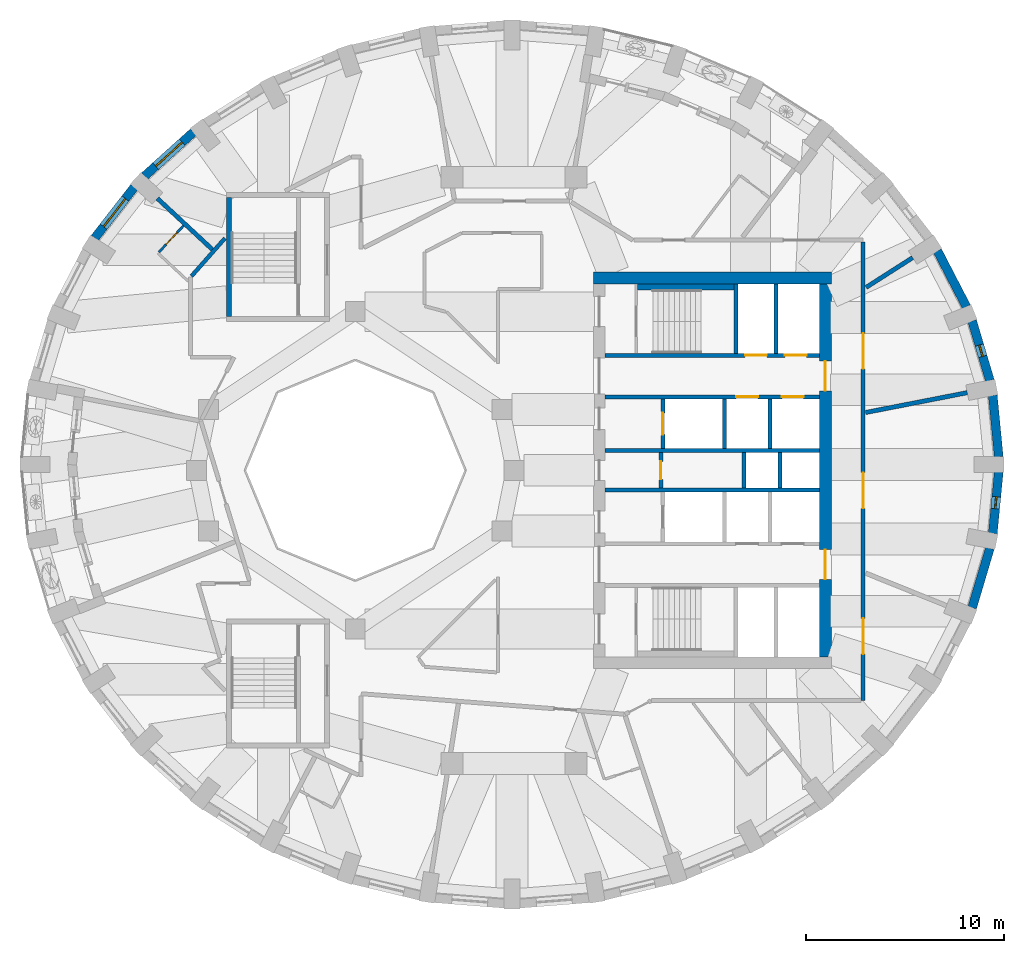
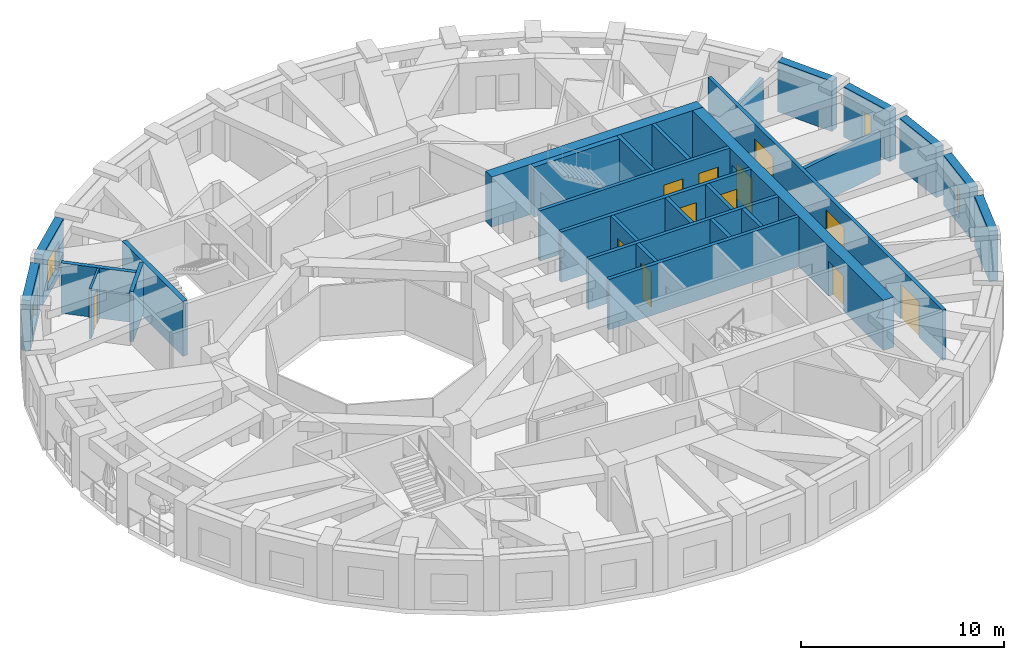
# One storey, part 6 of 12: 29 walls, 12 doors, 4 windows, 16 openings.
"""IFC4 building model written with IfcOpenShell, lengths in metres."""

from ifc_helpers import new_model, si_unit, direction, frame, frame_2d, origin, place, context, subcontext, project, spatial, rectangle, extrude, material, layer, layer_set, type_object, element, fill, save


model = new_model("IFC4")

# Units and contexts
model_context = context("Model", 3, precision=1e-05, world=origin(), true_north=direction((0.0, 1.0)))
body_context = subcontext(model_context, "Body", "Model", "MODEL_VIEW")
ifc_project = project(units=[si_unit("LENGTHUNIT", "METRE"), si_unit("AREAUNIT", "SQUARE_METRE"), si_unit("VOLUMEUNIT", "CUBIC_METRE"), si_unit("PLANEANGLEUNIT", "RADIAN"), si_unit("MASSUNIT", "GRAM", prefix="KILO")], contexts=[model_context])

# Site, building, storey
site_placement = place(None, origin())
site = spatial("IfcSite", under=ifc_project, at=site_placement, CompositionType="ELEMENT")
building_placement = place(site_placement, origin())
building = spatial("IfcBuilding", under=site, at=building_placement, Name="Taillehof Tower", CompositionType="ELEMENT")
storey_placement = place(building_placement, frame((0.0, 0.0, 236.60009765625)))
storey = spatial("IfcBuildingStorey", under=building, at=storey_placement, Name="L67", CompositionType="ELEMENT", Elevation=236.60009765625)

# Wall
ifc_material_1 = material(Name="Brick masonry", Category="masonry")
ifc_layer_1 = layer(ifc_material_1, 0.449951171875)
ifc_layer_set_1 = layer_set([ifc_layer_1], Name="Brick infill wall 450")
wall_type_1 = type_object("IfcWallType", Name="Brick infill wall 450", PredefinedType="SOLIDWALL", material=ifc_layer_set_1)
wall_1_placement = place(storey_placement, frame((24.43701171875, 0.68017578125, 0.0), z_axis=(0.0, 0.0, 1.0), x_axis=(-0.096740086873, 0.995309678237, 0.0)))
element("IfcWall", 1, at=wall_1_placement, inside=storey, type_object=wall_type_1, Name="Brick wall L67 bay 1", PredefinedType="SOLIDWALL", context=body_context, shape_type="SweptSolid", body=[
    extrude(rectangle(XDim=3.1142578125, YDim=0.449951171875, at=frame_2d((1.55712890625, 0.0))), origin(), (0.0, 0.0, 1.0), 3.02001953125),
])

# Wall, opening, window
wall_2_placement = place(storey_placement, frame((23.989990234375, 4.52587890625, 0.0), z_axis=(0.0, 0.0, 1.0), x_axis=(-0.285263800865, 0.958449040855, 0.0)))
wall_2 = element("IfcWall", 2, at=wall_2_placement, inside=storey, type_object=wall_type_1, Name="Brick wall L67 bay 2", PredefinedType="SOLIDWALL", context=body_context, shape_type="SweptSolid", body=[
    extrude(rectangle(XDim=3.13916015625, YDim=0.449951171875, at=frame_2d((1.569580078125, 0.0))), origin(), (0.0, 0.0, 1.0), 3.02001953125),
])
opening_1_placement = place(wall_2_placement, frame((1.26953125, 0.0, 0.39990234375)))
opening_1 = element("IfcOpeningElement", 3, at=opening_1_placement, cuts=wall_2, Name="Opening W6", PredefinedType="OPENING", context=body_context, shape_type="SweptSolid", body=[
    extrude(rectangle(XDim=0.60009765625, YDim=1.75, at=frame_2d((0.300048828125, 0.875))), frame((0.0, 0.23486328125, 0.0), z_axis=(0.0, -1.0, 0.0), x_axis=(1.0, 0.0, 0.0)), (0.0, 0.0, 1.0), 0.469970703125),
])
ifc_material_2 = material(Name="Aluminium window frame with clear double glazing", Category="aluminium")
window_type_1 = type_object("IfcWindowType", Name="Slot window 600x1750", PartitioningType="SINGLE_PANEL", PredefinedType="WINDOW", material=ifc_material_2)
window_1_placement = place(opening_1_placement, origin())
window_1 = element("IfcWindow", 4, at=window_1_placement, inside=storey, type_object=window_type_1, Name="W6", OverallHeight=1.75, OverallWidth=0.60009765625, PartitioningType="SINGLE_PANEL", PredefinedType="WINDOW", context=body_context, shape_type="SweptSolid", body=[
    extrude(rectangle(XDim=0.60009765625, YDim=1.75, at=frame_2d((0.300048828125, 0.875))), frame((0.0, 0.034912109375, 0.0), z_axis=(0.0, -1.0, 0.0), x_axis=(1.0, 0.0, 0.0)), (0.0, 0.0, 1.0), 0.06005859375),
])
fill(opening_1, window_1)

# Wall
wall_3_placement = place(storey_placement, frame((22.81005859375, 8.239501953125, 0.0), z_axis=(0.0, 0.0, 1.0), x_axis=(-0.459889857669, 0.887975967475, 0.0)))
element("IfcWall", 5, at=wall_3_placement, inside=storey, type_object=wall_type_1, Name="Brick wall L67 bay 3", PredefinedType="SOLIDWALL", context=body_context, shape_type="SweptSolid", body=[
    extrude(rectangle(XDim=3.185791015625, YDim=0.449951171875, at=frame_2d((1.5927734375, 0.0))), origin(), (0.0, 0.0, 1.0), 3.02001953125),
])

# Wall, opening, window
wall_4_placement = place(storey_placement, frame((-16.1591796875, 17.04736328125, 0.0), z_axis=(0.0, 0.0, 1.0), x_axis=(-0.743166014219, -0.669107073128, 0.0)))
wall_4 = element("IfcWall", 6, at=wall_4_placement, inside=storey, type_object=wall_type_1, Name="Brick wall L67 bay 14", PredefinedType="SOLIDWALL", context=body_context, shape_type="SweptSolid", body=[
    extrude(rectangle(XDim=3.31640625, YDim=0.449951171875, at=frame_2d((1.658203125, 0.0))), origin(), (0.0, 0.0, 1.0), 3.02001953125),
])
opening_2_placement = place(wall_4_placement, frame((0.75830078125, 0.0, 0.39990234375)))
opening_2 = element("IfcOpeningElement", 7, at=opening_2_placement, cuts=wall_4, Name="Opening W4", PredefinedType="OPENING", context=body_context, shape_type="SweptSolid", body=[
    extrude(rectangle(XDim=1.800048828125, YDim=1.75, at=frame_2d((0.89990234375, 0.875))), frame((0.0, 0.23486328125, 0.0), z_axis=(0.0, -1.0, 0.0), x_axis=(1.0, 0.0, 0.0)), (0.0, 0.0, 1.0), 0.469970703125),
])
ifc_material_3 = material(Name="Aluminium window frame with clear double glazing", Category="aluminium")
window_type_2 = type_object("IfcWindowType", Name="Deep-set window 1800x1750", PartitioningType="SINGLE_PANEL", PredefinedType="WINDOW", material=ifc_material_3)
window_2_placement = place(opening_2_placement, origin())
window_2 = element("IfcWindow", 8, at=window_2_placement, inside=storey, type_object=window_type_2, Name="W4", OverallHeight=1.75, OverallWidth=1.800048828125, PartitioningType="SINGLE_PANEL", PredefinedType="WINDOW", context=body_context, shape_type="SweptSolid", body=[
    extrude(rectangle(XDim=1.800048828125, YDim=1.75, at=frame_2d((0.89990234375, 0.875))), frame((0.0, 0.034912109375, 0.0), z_axis=(0.0, -1.0, 0.0), x_axis=(1.0, 0.0, 0.0)), (0.0, 0.0, 1.0), 0.06005859375),
])
fill(opening_2, window_2)

wall_5_placement = place(storey_placement, frame((-19.1416015625, 14.27197265625, 0.0), z_axis=(0.0, 0.0, 1.0), x_axis=(-0.613862536705, -0.789412937587, 0.0)))
wall_5 = element("IfcWall", 9, at=wall_5_placement, inside=storey, type_object=wall_type_1, Name="Brick wall L67 bay 15", PredefinedType="SOLIDWALL", context=body_context, shape_type="SweptSolid", body=[
    extrude(rectangle(XDim=3.247314453125, YDim=0.449951171875, at=frame_2d((1.62353515625, 0.0))), origin(), (0.0, 0.0, 1.0), 3.02001953125),
])
opening_3_placement = place(wall_5_placement, frame((0.7236328125, 0.0, 0.39990234375)))
opening_3 = element("IfcOpeningElement", 10, at=opening_3_placement, cuts=wall_5, Name="Opening W4", PredefinedType="OPENING", context=body_context, shape_type="SweptSolid", body=[
    extrude(rectangle(XDim=1.800048828125, YDim=1.75, at=frame_2d((0.89990234375, 0.875))), frame((0.0, 0.23486328125, 0.0), z_axis=(0.0, -1.0, 0.0), x_axis=(1.0, 0.0, 0.0)), (0.0, 0.0, 1.0), 0.469970703125),
])
window_3_placement = place(opening_3_placement, origin())
window_3 = element("IfcWindow", 11, at=window_3_placement, inside=storey, type_object=window_type_2, Name="W4", OverallHeight=1.75, OverallWidth=1.800048828125, PartitioningType="SINGLE_PANEL", PredefinedType="WINDOW", context=body_context, shape_type="SweptSolid", body=[
    extrude(rectangle(XDim=1.800048828125, YDim=1.75, at=frame_2d((0.89990234375, 0.875))), frame((0.0, 0.034912109375, 0.0), z_axis=(0.0, -1.0, 0.0), x_axis=(1.0, 0.0, 0.0)), (0.0, 0.0, 1.0), 0.06005859375),
])
fill(opening_3, window_3)

# Wall
wall_6_placement = place(storey_placement, frame((23.094482421875, -6.9345703125, 0.0), z_axis=(0.0, 0.0, 1.0), x_axis=(0.285263800865, 0.958449040855, 0.0)))
element("IfcWall", 12, at=wall_6_placement, inside=storey, type_object=wall_type_1, Name="Brick wall L67 bay 35", PredefinedType="SOLIDWALL", context=body_context, shape_type="SweptSolid", body=[
    extrude(rectangle(XDim=3.13916015625, YDim=0.449951171875, at=frame_2d((1.569580078125, 0.0))), origin(), (0.0, 0.0, 1.0), 3.02001953125),
])

# Wall, opening, window
wall_7_placement = place(storey_placement, frame((24.1357421875, -3.179931640625, 0.0), z_axis=(0.0, 0.0, 1.0), x_axis=(0.09673253904, 0.995310411827, 0.0)))
wall_7 = element("IfcWall", 13, at=wall_7_placement, inside=storey, type_object=wall_type_1, Name="Brick wall L67 bay 36", PredefinedType="SOLIDWALL", context=body_context, shape_type="SweptSolid", body=[
    extrude(rectangle(XDim=3.114501953125, YDim=0.449951171875, at=frame_2d((1.55712890625, 0.0))), origin(), (0.0, 0.0, 1.0), 3.02001953125),
])
opening_4_placement = place(wall_7_placement, frame((1.257080078125, 0.0, 0.39990234375)))
opening_4 = element("IfcOpeningElement", 14, at=opening_4_placement, cuts=wall_7, Name="Opening W6", PredefinedType="OPENING", context=body_context, shape_type="SweptSolid", body=[
    extrude(rectangle(XDim=0.60009765625, YDim=1.75, at=frame_2d((0.300048828125, 0.875))), frame((0.0, 0.23486328125, 0.0), z_axis=(0.0, -1.0, 0.0), x_axis=(1.0, 0.0, 0.0)), (0.0, 0.0, 1.0), 0.469970703125),
])
window_4_placement = place(opening_4_placement, origin())
window_4 = element("IfcWindow", 15, at=window_4_placement, inside=storey, type_object=window_type_1, Name="W6", OverallHeight=1.75, OverallWidth=0.60009765625, PartitioningType="SINGLE_PANEL", PredefinedType="WINDOW", context=body_context, shape_type="SweptSolid", body=[
    extrude(rectangle(XDim=0.60009765625, YDim=1.75, at=frame_2d((0.300048828125, 0.875))), frame((0.0, 0.034912109375, 0.0), z_axis=(0.0, -1.0, 0.0), x_axis=(1.0, 0.0, 0.0)), (0.0, 0.0, 1.0), 0.06005859375),
])
fill(opening_4, window_4)

# Wall, opening, door
ifc_material_4 = material(Name="Calcium silicate masonry", Category="masonry")
ifc_layer_2 = layer(ifc_material_4, 0.199951171875)
ifc_layer_set_2 = layer_set([ifc_layer_2], Name="Compartment wall calcium silicate 200")
wall_type_2 = type_object("IfcWallType", Name="Compartment wall calcium silicate 200", PredefinedType="PARTITIONING", material=ifc_layer_set_2)
wall_8_placement = place(storey_placement, frame((7.39990234375, -0.89990234375, 0.0), z_axis=(0.0, 0.0, 1.0), x_axis=(0.0, 1.0, 0.0)))
wall_8 = element("IfcWall", 16, at=wall_8_placement, inside=storey, type_object=wall_type_2, Name="Compartment wall FW", PredefinedType="PARTITIONING", context=body_context, shape_type="SweptSolid", body=[
    extrude(rectangle(XDim=1.7998046875, YDim=0.199951171875, at=frame_2d((0.89990234375, 0.0))), origin(), (0.0, 0.0, 1.0), 3.02001953125),
])
opening_5_placement = place(wall_8_placement, frame((0.449951171875, 0.0, 0.0)))
opening_5 = element("IfcOpeningElement", 17, at=opening_5_placement, cuts=wall_8, Name="Opening D6714", PredefinedType="OPENING", context=body_context, shape_type="SweptSolid", body=[
    extrude(rectangle(XDim=0.89990234375, YDim=2.10009765625, at=frame_2d((0.449951171875, 1.050048828125))), frame((0.0, 0.10986328125, 0.0), z_axis=(0.0, -1.0, 0.0), x_axis=(1.0, 0.0, 0.0)), (0.0, 0.0, 1.0), 0.219970703125),
])
ifc_material_5 = material(Name="Steel-faced fire door", Category="steel")
door_type_1 = type_object("IfcDoorType", Name="Riser and service room door 900x2100", OperationType="SINGLE_SWING_LEFT", PredefinedType="DOOR", material=ifc_material_5)
door_1_placement = place(opening_5_placement, origin())
door_1 = element("IfcDoor", 18, at=door_1_placement, inside=storey, type_object=door_type_1, Name="Door Electrical Room", OperationType="SINGLE_SWING_RIGHT", OverallHeight=2.10009765625, OverallWidth=0.89990234375, PredefinedType="DOOR", context=body_context, shape_type="SweptSolid", body=[
    extrude(rectangle(XDim=0.89990234375, YDim=2.10009765625, at=frame_2d((0.449951171875, 1.050048828125))), frame((0.0, 0.02490234375, 0.0), z_axis=(0.0, -1.0, 0.0), x_axis=(1.0, 0.0, 0.0)), (0.0, 0.0, 1.0), 0.050048828125),
])
fill(opening_5, door_1)

# Walls
for number, where, z_axis, x_axis, name in (
    (19, (11.60009765625, -0.89990234375, 0.0), (0.0, 0.0, 1.0), (0.0, 1.0, 0.0), "Compartment wall FW"),
    (20, (13.39990234375, -0.89990234375, 0.0), (0.0, 0.0, 1.0), (0.0, 1.0, 0.0), "Compartment wall FW"),
):
    element("IfcWall", number, at=place(storey_placement, frame(where, z_axis=z_axis, x_axis=x_axis)), inside=storey, type_object=wall_type_2, Name=name, PredefinedType="PARTITIONING", context=body_context, shape_type="SweptSolid", body=[
        extrude(rectangle(XDim=1.7998046875, YDim=0.199951171875, at=frame_2d((0.89990234375, 0.0))), origin(), (0.0, 0.0, 1.0), 3.02001953125),
    ])

# Wall, openings, doors
ifc_material_6 = material(Name="Gypsum board on steel studs, two layers each side", Category="steel")
ifc_layer_3 = layer(ifc_material_6, 0.199951171875)
ifc_layer_set_3 = layer_set([ifc_layer_3], Name="Compartment wall corridor 200")
wall_type_3 = type_object("IfcWallType", Name="Compartment wall corridor 200", PredefinedType="PARTITIONING", material=ifc_layer_set_3)
wall_9_placement = place(storey_placement, frame((17.60009765625, 11.5, 0.0), z_axis=(0.0, 0.0, 1.0), x_axis=(0.0, -1.0, 0.0)))
wall_9 = element("IfcWall", 21, at=wall_9_placement, inside=storey, type_object=wall_type_3, Name="Compartment wall", PredefinedType="PARTITIONING", context=body_context, shape_type="SweptSolid", body=[
    extrude(rectangle(XDim=23.10009765625, YDim=0.199951171875, at=frame_2d((11.550048828125, 0.0))), origin(), (0.0, 0.0, 1.0), 3.02001953125),
])
opening_6_placement = place(wall_9_placement, frame((18.9599609375, 0.0, 0.0)))
opening_6 = element("IfcOpeningElement", 22, at=opening_6_placement, cuts=wall_9, Name="Opening D6754", PredefinedType="OPENING", context=body_context, shape_type="SweptSolid", body=[
    extrude(rectangle(XDim=1.800048828125, YDim=2.10009765625, at=frame_2d((0.89990234375, 1.050048828125))), frame((0.0, 0.10986328125, 0.0), z_axis=(0.0, -1.0, 0.0), x_axis=(1.0, 0.0, 0.0)), (0.0, 0.0, 1.0), 0.219970703125),
])
opening_7_placement = place(wall_9_placement, frame((11.6171875, 0.0, 0.0)))
opening_7 = element("IfcOpeningElement", 23, at=opening_7_placement, cuts=wall_9, Name="Opening D6755", PredefinedType="OPENING", context=body_context, shape_type="SweptSolid", body=[
    extrude(rectangle(XDim=1.800048828125, YDim=2.10009765625, at=frame_2d((0.89990234375, 1.050048828125))), frame((0.0, 0.10986328125, 0.0), z_axis=(0.0, -1.0, 0.0), x_axis=(1.0, 0.0, 0.0)), (0.0, 0.0, 1.0), 0.219970703125),
])
opening_8_placement = place(wall_9_placement, frame((4.5908203125, 0.0, 0.0)))
opening_8 = element("IfcOpeningElement", 24, at=opening_8_placement, cuts=wall_9, Name="Opening D6756", PredefinedType="OPENING", context=body_context, shape_type="SweptSolid", body=[
    extrude(rectangle(XDim=1.800048828125, YDim=2.10009765625, at=frame_2d((0.89990234375, 1.050048828125))), frame((0.0, 0.10986328125, 0.0), z_axis=(0.0, -1.0, 0.0), x_axis=(1.0, 0.0, 0.0)), (0.0, 0.0, 1.0), 0.219970703125),
])
ifc_material_7 = material(Name="Timber door leaf in steel frame", Category="steel")
door_type_2 = type_object("IfcDoorType", Name="Lounge and meeting room double door EI 30 1800 x 2100", OperationType="SINGLE_SWING_LEFT", PredefinedType="DOOR", material=ifc_material_7)
door_2_placement = place(opening_6_placement, origin())
door_2 = element("IfcDoor", 25, at=door_2_placement, inside=storey, type_object=door_type_2, Name="D6754", OperationType="DOUBLE_DOOR_SINGLE_SWING", OverallHeight=2.10009765625, OverallWidth=1.800048828125, PredefinedType="DOOR", context=body_context, shape_type="SweptSolid", body=[
    extrude(rectangle(XDim=1.800048828125, YDim=2.10009765625, at=frame_2d((0.89990234375, 1.050048828125))), frame((0.0, 0.02490234375, 0.0), z_axis=(0.0, -1.0, 0.0), x_axis=(1.0, 0.0, 0.0)), (0.0, 0.0, 1.0), 0.050048828125),
])
fill(opening_6, door_2)
door_3_placement = place(opening_7_placement, origin())
door_3 = element("IfcDoor", 26, at=door_3_placement, inside=storey, type_object=door_type_2, Name="D6755", OperationType="DOUBLE_DOOR_SINGLE_SWING", OverallHeight=2.10009765625, OverallWidth=1.800048828125, PredefinedType="DOOR", context=body_context, shape_type="SweptSolid", body=[
    extrude(rectangle(XDim=1.800048828125, YDim=2.10009765625, at=frame_2d((0.89990234375, 1.050048828125))), frame((0.0, 0.02490234375, 0.0), z_axis=(0.0, -1.0, 0.0), x_axis=(1.0, 0.0, 0.0)), (0.0, 0.0, 1.0), 0.050048828125),
])
fill(opening_7, door_3)
door_4_placement = place(opening_8_placement, origin())
door_4 = element("IfcDoor", 27, at=door_4_placement, inside=storey, type_object=door_type_2, Name="D6756", OperationType="DOUBLE_DOOR_SINGLE_SWING", OverallHeight=2.10009765625, OverallWidth=1.800048828125, PredefinedType="DOOR", context=body_context, shape_type="SweptSolid", body=[
    extrude(rectangle(XDim=1.800048828125, YDim=2.10009765625, at=frame_2d((0.89990234375, 1.050048828125))), frame((0.0, 0.02490234375, 0.0), z_axis=(0.0, -1.0, 0.0), x_axis=(1.0, 0.0, 0.0)), (0.0, 0.0, 1.0), 0.050048828125),
])
fill(opening_8, door_4)

# Walls
wall_10_placement = place(storey_placement, frame((-16.260498046875, 9.783447265625, 0.0), z_axis=(0.0, 0.0, 1.0), x_axis=(0.66199168739, 0.74951117792, 0.0)))
element("IfcWall", 28, at=wall_10_placement, inside=storey, type_object=wall_type_3, Name="Compartment wall", PredefinedType="PARTITIONING", context=body_context, shape_type="SweptSolid", body=[
    extrude(rectangle(XDim=2.552490234375, YDim=0.199951171875, at=frame_2d((1.2763671875, 0.0))), origin(), (0.0, 0.0, 1.0), 3.02001953125),
])
ifc_material_8 = material(Name="Gypsum board on double steel studs with mineral wool", Category="steel")
ifc_layer_4 = layer(ifc_material_8, 0.219970703125)
ifc_layer_set_4 = layer_set([ifc_layer_4], Name="Compartment wall guest room 220")
wall_type_4 = type_object("IfcWallType", Name="Compartment wall guest room 220", PredefinedType="PARTITIONING", material=ifc_layer_set_4)
wall_11_placement = place(storey_placement, frame((22.8486328125, 3.915771484375, 0.0), z_axis=(0.0, 0.0, 1.0), x_axis=(-0.981474096155, -0.191594881394, 0.0)))
element("IfcWall", 29, at=wall_11_placement, inside=storey, type_object=wall_type_4, Name="Compartment wall", PredefinedType="PARTITIONING", context=body_context, shape_type="SweptSolid", body=[
    extrude(rectangle(XDim=5.225830078125, YDim=0.219970703125, at=frame_2d((2.61279296875, 0.0))), origin(), (0.0, 0.0, 1.0), 2.56982421875),
])
wall_12_placement = place(storey_placement, frame((20.095947265625, 10.720947265625, 0.0), z_axis=(0.0, 0.0, 1.0), x_axis=(-0.842583486412, -0.538565751256, 0.0)))
element("IfcWall", 30, at=wall_12_placement, inside=storey, type_object=wall_type_4, Name="Compartment wall", PredefinedType="PARTITIONING", context=body_context, shape_type="SweptSolid", body=[
    extrude(rectangle(XDim=2.783447265625, YDim=0.219970703125, at=frame_2d((1.3916015625, 0.0))), origin(), (0.0, 0.0, 1.0), 2.56982421875),
])
wall_13_placement = place(storey_placement, frame((-17.973876953125, 13.705810546875, 0.0), z_axis=(0.0, 0.0, 1.0), x_axis=(0.732644022802, -0.680612030346, 0.0)))
element("IfcWall", 31, at=wall_13_placement, inside=storey, type_object=wall_type_4, Name="Compartment wall", PredefinedType="PARTITIONING", context=body_context, shape_type="SweptSolid", body=[
    extrude(rectangle(XDim=3.78173828125, YDim=0.219970703125, at=frame_2d((1.890869140625, 0.0))), origin(), (0.0, 0.0, 1.0), 3.02001953125),
])
ifc_material_9 = material(Name="Calcium silicate masonry", Category="masonry")
ifc_layer_5 = layer(ifc_material_9, 0.300048828125)
ifc_layer_set_5 = layer_set([ifc_layer_5], Name="Compartment wall lining calcium silicate 300")
wall_type_5 = type_object("IfcWallType", Name="Compartment wall lining calcium silicate 300", PredefinedType="PARTITIONING", material=ifc_layer_set_5)
wall_14_placement = place(storey_placement, frame((6.219970703125, 9.25, 0.0), z_axis=(0.0, 0.0, 1.0), x_axis=(1.0, 0.0, 0.0)))
element("IfcWall", 32, at=wall_14_placement, inside=storey, type_object=wall_type_5, Name="Compartment wall FW", PredefinedType="PARTITIONING", context=body_context, shape_type="SweptSolid", body=[
    extrude(rectangle(XDim=4.880126953125, YDim=0.300048828125, at=frame_2d((2.43994140625, 0.0))), origin(), (0.0, 0.0, 1.0), 3.02001953125),
])

# Wall, openings, doors
ifc_material_10 = material(Name="Concrete C80/95", Category="concrete")
ifc_layer_6 = layer(ifc_material_10, 0.60009765625)
ifc_layer_set_6 = layer_set([ifc_layer_6], Name="Core wall C80/95 600")
wall_type_6 = type_object("IfcWallType", Name="Core wall C80/95 600", PredefinedType="SHEAR", material=ifc_layer_set_6)
wall_15_placement = place(storey_placement, frame((15.699951171875, -9.39990234375, 0.0), z_axis=(0.0, 0.0, 1.0), x_axis=(0.0, 1.0, 0.0)))
wall_15 = element("IfcWall", 33, at=wall_15_placement, inside=storey, type_object=wall_type_6, Name="Core wall CW05", PredefinedType="SHEAR", context=body_context, shape_type="SweptSolid", body=[
    extrude(rectangle(XDim=18.7998046875, YDim=0.60009765625, at=frame_2d((9.39990234375, 0.0))), origin(), (0.0, 0.0, 1.0), 3.02001953125),
])
opening_9_placement = place(wall_15_placement, frame((13.39990234375, 0.0, 0.0)))
opening_9 = element("IfcOpeningElement", 34, at=opening_9_placement, cuts=wall_15, Name="Opening D6708", PredefinedType="OPENING", context=body_context, shape_type="SweptSolid", body=[
    extrude(rectangle(XDim=1.5, YDim=2.10009765625, at=frame_2d((0.75, 1.050048828125))), frame((0.0, 0.31005859375, 0.0), z_axis=(0.0, -1.0, 0.0), x_axis=(1.0, 0.0, 0.0)), (0.0, 0.0, 1.0), 0.6201171875),
])
opening_10_placement = place(wall_15_placement, frame((3.89990234375, 0.0, 0.0)))
opening_10 = element("IfcOpeningElement", 35, at=opening_10_placement, cuts=wall_15, Name="Opening D6709", PredefinedType="OPENING", context=body_context, shape_type="SweptSolid", body=[
    extrude(rectangle(XDim=1.5, YDim=2.10009765625, at=frame_2d((0.75, 1.050048828125))), frame((0.0, 0.31005859375, 0.0), z_axis=(0.0, -1.0, 0.0), x_axis=(1.0, 0.0, 0.0)), (0.0, 0.0, 1.0), 0.6201171875),
])
ifc_material_11 = material(Name="Steel-faced fire door", Category="steel")
door_type_3 = type_object("IfcDoorType", Name="Lift lobby east door 1500x2100", OperationType="DOUBLE_DOOR_SINGLE_SWING", PredefinedType="DOOR", material=ifc_material_11)
door_5_placement = place(opening_9_placement, origin())
door_5 = element("IfcDoor", 36, at=door_5_placement, inside=storey, type_object=door_type_3, Name="Lift lobby east door north", OperationType="DOUBLE_DOOR_SINGLE_SWING", OverallHeight=2.10009765625, OverallWidth=1.5, PredefinedType="DOOR", context=body_context, shape_type="SweptSolid", body=[
    extrude(rectangle(XDim=1.5, YDim=2.10009765625, at=frame_2d((0.75, 1.050048828125))), frame((0.0, 0.02490234375, 0.0), z_axis=(0.0, -1.0, 0.0), x_axis=(1.0, 0.0, 0.0)), (0.0, 0.0, 1.0), 0.050048828125),
])
fill(opening_9, door_5)
door_6_placement = place(opening_10_placement, origin())
door_6 = element("IfcDoor", 37, at=door_6_placement, inside=storey, type_object=door_type_3, Name="Lift lobby east door south", OperationType="DOUBLE_DOOR_SINGLE_SWING", OverallHeight=2.10009765625, OverallWidth=1.5, PredefinedType="DOOR", context=body_context, shape_type="SweptSolid", body=[
    extrude(rectangle(XDim=1.5, YDim=2.10009765625, at=frame_2d((0.75, 1.050048828125))), frame((0.0, 0.02490234375, 0.0), z_axis=(0.0, -1.0, 0.0), x_axis=(1.0, 0.0, 0.0)), (0.0, 0.0, 1.0), 0.050048828125),
])
fill(opening_10, door_6)

# Wall
wall_16_placement = place(storey_placement, frame((4.0, 9.699951171875, 0.0), z_axis=(0.0, 0.0, 1.0), x_axis=(1.0, 0.0, 0.0)))
element("IfcWall", 38, at=wall_16_placement, inside=storey, type_object=wall_type_6, Name="Core wall CW06", PredefinedType="SHEAR", context=body_context, shape_type="SweptSolid", body=[
    extrude(rectangle(XDim=12.0, YDim=0.60009765625, at=frame_2d((6.0, 0.0))), origin(), (0.0, 0.0, 1.0), 3.02001953125),
])

# Wall, opening, door
ifc_material_12 = material(Name="Gypsum board on steel studs, moisture resistant", Category="steel")
ifc_layer_7 = layer(ifc_material_12, 0.1201171875)
ifc_layer_set_7 = layer_set([ifc_layer_7], Name="En-suite wall 120")
wall_type_7 = type_object("IfcWallType", Name="En-suite wall 120", PredefinedType="PARTITIONING", material=ifc_layer_set_7)
wall_17_placement = place(storey_placement, frame((-17.90234375, 10.991455078125, 0.0), z_axis=(0.0, 0.0, 1.0), x_axis=(0.680681343043, 0.732579626548, 0.0)))
wall_17 = element("IfcWall", 39, at=wall_17_placement, inside=storey, type_object=wall_type_7, Name="En-suite wall", PredefinedType="PARTITIONING", context=body_context, shape_type="SweptSolid", body=[
    extrude(rectangle(XDim=1.829833984375, YDim=0.1201171875, at=frame_2d((0.9150390625, 0.0))), origin(), (0.0, 0.0, 1.0), 3.02001953125),
])
opening_11_placement = place(wall_17_placement, frame((0.5400390625, 0.0, 0.0)))
opening_11 = element("IfcOpeningElement", 40, at=opening_11_placement, cuts=wall_17, Name="Opening D6745", PredefinedType="OPENING", context=body_context, shape_type="SweptSolid", body=[
    extrude(rectangle(XDim=0.800048828125, YDim=2.10009765625, at=frame_2d((0.39990234375, 1.050048828125))), frame((0.0, 0.070068359375, 0.0), z_axis=(0.0, -1.0, 0.0), x_axis=(1.0, 0.0, 0.0)), (0.0, 0.0, 1.0), 0.14013671875),
])
ifc_material_13 = material(Name="Timber door leaf in steel frame", Category="steel")
door_type_4 = type_object("IfcDoorType", Name="En-suite door 800 x 2100", OperationType="SINGLE_SWING_LEFT", PredefinedType="DOOR", material=ifc_material_13)
door_7_placement = place(opening_11_placement, origin())
door_7 = element("IfcDoor", 41, at=door_7_placement, inside=storey, type_object=door_type_4, Name="D6745", OperationType="SINGLE_SWING_RIGHT", OverallHeight=2.10009765625, OverallWidth=0.800048828125, PredefinedType="DOOR", context=body_context, shape_type="SweptSolid", body=[
    extrude(rectangle(XDim=0.800048828125, YDim=2.10009765625, at=frame_2d((0.39990234375, 1.050048828125))), frame((0.0, 0.02490234375, 0.0), z_axis=(0.0, -1.0, 0.0), x_axis=(1.0, 0.0, 0.0)), (0.0, 0.0, 1.0), 0.050048828125),
])
fill(opening_11, door_7)

# Wall, openings, doors
ifc_material_14 = material(Name="Concrete C50/60", Category="concrete")
ifc_layer_8 = layer(ifc_material_14, 0.199951171875)
ifc_layer_set_8 = layer_set([ifc_layer_8], Name="Shaft wall C50/60 200")
wall_type_8 = type_object("IfcWallType", Name="Shaft wall C50/60 200", PredefinedType="SHEAR", material=ifc_layer_set_8)
wall_18_placement = place(storey_placement, frame((4.60009765625, 5.800048828125, 0.0), z_axis=(0.0, 0.0, 1.0), x_axis=(1.0, 0.0, 0.0)))
wall_18 = element("IfcWall", 42, at=wall_18_placement, inside=storey, type_object=wall_type_8, Name="Shaft wall SW", PredefinedType="SHEAR", context=body_context, shape_type="SweptSolid", body=[
    extrude(rectangle(XDim=10.7998046875, YDim=0.199951171875, at=frame_2d((5.39990234375, 0.0))), origin(), (0.0, 0.0, 1.0), 3.02001953125),
])
opening_12_placement = place(wall_18_placement, frame((7.050048828125, 0.0, 0.0)))
opening_12 = element("IfcOpeningElement", 43, at=opening_12_placement, cuts=wall_18, Name="Opening LD1", PredefinedType="OPENING", context=body_context, shape_type="SweptSolid", body=[
    extrude(rectangle(XDim=1.10009765625, YDim=2.10009765625, at=frame_2d((0.550048828125, 1.050048828125))), frame((0.0, 0.10986328125, 0.0), z_axis=(0.0, -1.0, 0.0), x_axis=(1.0, 0.0, 0.0)), (0.0, 0.0, 1.0), 0.219970703125),
])
opening_13_placement = place(wall_18_placement, frame((9.050048828125, 0.0, 0.0)))
opening_13 = element("IfcOpeningElement", 44, at=opening_13_placement, cuts=wall_18, Name="Opening LD1", PredefinedType="OPENING", context=body_context, shape_type="SweptSolid", body=[
    extrude(rectangle(XDim=1.10009765625, YDim=2.10009765625, at=frame_2d((0.550048828125, 1.050048828125))), frame((0.0, 0.10986328125, 0.0), z_axis=(0.0, -1.0, 0.0), x_axis=(1.0, 0.0, 0.0)), (0.0, 0.0, 1.0), 0.219970703125),
])
ifc_material_15 = material(Name="Stainless steel", Category="steel")
door_type_5 = type_object("IfcDoorType", Name="Lift landing door LD1 1100x2100", OperationType="DOUBLE_DOOR_SLIDING", PredefinedType="DOOR", material=ifc_material_15)
door_8_placement = place(opening_12_placement, origin())
door_8 = element("IfcDoor", 45, at=door_8_placement, inside=storey, type_object=door_type_5, Name="Landing door HR1", OperationType="DOUBLE_DOOR_SLIDING", OverallHeight=2.10009765625, OverallWidth=1.10009765625, PredefinedType="DOOR", context=body_context, shape_type="SweptSolid", body=[
    extrude(rectangle(XDim=1.10009765625, YDim=2.10009765625, at=frame_2d((0.550048828125, 1.050048828125))), frame((0.0, 0.02490234375, 0.0), z_axis=(0.0, -1.0, 0.0), x_axis=(1.0, 0.0, 0.0)), (0.0, 0.0, 1.0), 0.050048828125),
])
fill(opening_12, door_8)
door_9_placement = place(opening_13_placement, origin())
door_9 = element("IfcDoor", 46, at=door_9_placement, inside=storey, type_object=door_type_5, Name="Landing door HR2", OperationType="DOUBLE_DOOR_SLIDING", OverallHeight=2.10009765625, OverallWidth=1.10009765625, PredefinedType="DOOR", context=body_context, shape_type="SweptSolid", body=[
    extrude(rectangle(XDim=1.10009765625, YDim=2.10009765625, at=frame_2d((0.550048828125, 1.050048828125))), frame((0.0, 0.02490234375, 0.0), z_axis=(0.0, -1.0, 0.0), x_axis=(1.0, 0.0, 0.0)), (0.0, 0.0, 1.0), 0.050048828125),
])
fill(opening_13, door_9)

wall_19_placement = place(storey_placement, frame((4.60009765625, 3.699951171875, 0.0), z_axis=(0.0, 0.0, 1.0), x_axis=(1.0, 0.0, 0.0)))
wall_19 = element("IfcWall", 47, at=wall_19_placement, inside=storey, type_object=wall_type_8, Name="Shaft wall SW", PredefinedType="SHEAR", context=body_context, shape_type="SweptSolid", body=[
    extrude(rectangle(XDim=10.7998046875, YDim=0.199951171875, at=frame_2d((5.39990234375, 0.0))), origin(), (0.0, 0.0, 1.0), 3.02001953125),
])
opening_14_placement = place(wall_19_placement, frame((6.60009765625, 0.0, 0.0)))
opening_14 = element("IfcOpeningElement", 48, at=opening_14_placement, cuts=wall_19, Name="Opening LD1", PredefinedType="OPENING", context=body_context, shape_type="SweptSolid", body=[
    extrude(rectangle(XDim=1.10009765625, YDim=2.10009765625, at=frame_2d((0.550048828125, 1.050048828125))), frame((0.0, 0.10986328125, 0.0), z_axis=(0.0, -1.0, 0.0), x_axis=(1.0, 0.0, 0.0)), (0.0, 0.0, 1.0), 0.219970703125),
])
opening_15_placement = place(wall_19_placement, frame((8.89990234375, 0.0, 0.0)))
opening_15 = element("IfcOpeningElement", 49, at=opening_15_placement, cuts=wall_19, Name="Opening LD1", PredefinedType="OPENING", context=body_context, shape_type="SweptSolid", body=[
    extrude(rectangle(XDim=1.10009765625, YDim=2.10009765625, at=frame_2d((0.550048828125, 1.050048828125))), frame((0.0, 0.10986328125, 0.0), z_axis=(0.0, -1.0, 0.0), x_axis=(1.0, 0.0, 0.0)), (0.0, 0.0, 1.0), 0.219970703125),
])
door_10_placement = place(opening_14_placement, origin())
door_10 = element("IfcDoor", 50, at=door_10_placement, inside=storey, type_object=door_type_5, Name="Landing door HR3", OperationType="DOUBLE_DOOR_SLIDING", OverallHeight=2.10009765625, OverallWidth=1.10009765625, PredefinedType="DOOR", context=body_context, shape_type="SweptSolid", body=[
    extrude(rectangle(XDim=1.10009765625, YDim=2.10009765625, at=frame_2d((0.550048828125, 1.050048828125))), frame((0.0, 0.02490234375, 0.0), z_axis=(0.0, -1.0, 0.0), x_axis=(1.0, 0.0, 0.0)), (0.0, 0.0, 1.0), 0.050048828125),
])
fill(opening_14, door_10)
door_11_placement = place(opening_15_placement, origin())
door_11 = element("IfcDoor", 51, at=door_11_placement, inside=storey, type_object=door_type_5, Name="Landing door HR4", OperationType="DOUBLE_DOOR_SLIDING", OverallHeight=2.10009765625, OverallWidth=1.10009765625, PredefinedType="DOOR", context=body_context, shape_type="SweptSolid", body=[
    extrude(rectangle(XDim=1.10009765625, YDim=2.10009765625, at=frame_2d((0.550048828125, 1.050048828125))), frame((0.0, 0.02490234375, 0.0), z_axis=(0.0, -1.0, 0.0), x_axis=(1.0, 0.0, 0.0)), (0.0, 0.0, 1.0), 0.050048828125),
])
fill(opening_15, door_11)

# Walls
for number, where, z_axis, x_axis, name in (
    (52, (4.60009765625, 1.0, 0.0), (0.0, 0.0, 1.0), (1.0, 0.0, 0.0), "Shaft wall SW"),
    (53, (4.60009765625, -1.0, 0.0), (0.0, 0.0, 1.0), (1.0, 0.0, 0.0), "Shaft wall SW"),
):
    element("IfcWall", number, at=place(storey_placement, frame(where, z_axis=z_axis, x_axis=x_axis)), inside=storey, type_object=wall_type_8, Name=name, PredefinedType="SHEAR", context=body_context, shape_type="SweptSolid", body=[
        extrude(rectangle(XDim=10.7998046875, YDim=0.199951171875, at=frame_2d((5.39990234375, 0.0))), origin(), (0.0, 0.0, 1.0), 3.02001953125),
    ])
for number, where, z_axis, x_axis, name in (
    (54, (11.199951171875, 5.89990234375, 0.0), (0.0, 0.0, 1.0), (0.0, 1.0, 0.0), "Shaft wall SW"),
    (55, (13.199951171875, 5.89990234375, 0.0), (0.0, 0.0, 1.0), (0.0, 1.0, 0.0), "Shaft wall SW"),
):
    element("IfcWall", number, at=place(storey_placement, frame(where, z_axis=z_axis, x_axis=x_axis)), inside=storey, type_object=wall_type_8, Name=name, PredefinedType="SHEAR", context=body_context, shape_type="SweptSolid", body=[
        extrude(rectangle(XDim=3.5, YDim=0.199951171875, at=frame_2d((1.75, 0.0))), origin(), (0.0, 0.0, 1.0), 3.02001953125),
    ])

# Wall, opening, door
wall_20_placement = place(storey_placement, frame((7.5, 1.10009765625, 0.0), z_axis=(0.0, 0.0, 1.0), x_axis=(0.0, 1.0, 0.0)))
wall_20 = element("IfcWall", 56, at=wall_20_placement, inside=storey, type_object=wall_type_8, Name="Shaft wall SW", PredefinedType="SHEAR", context=body_context, shape_type="SweptSolid", body=[
    extrude(rectangle(XDim=2.5, YDim=0.199951171875, at=frame_2d((1.25, 0.0))), origin(), (0.0, 0.0, 1.0), 3.02001953125),
])
opening_16_placement = place(wall_20_placement, frame((0.699951171875, 0.0, 0.0)))
opening_16 = element("IfcOpeningElement", 57, at=opening_16_placement, cuts=wall_20, Name="Opening LD1", PredefinedType="OPENING", context=body_context, shape_type="SweptSolid", body=[
    extrude(rectangle(XDim=1.10009765625, YDim=2.10009765625, at=frame_2d((0.550048828125, 1.050048828125))), frame((0.0, 0.10986328125, 0.0), z_axis=(0.0, -1.0, 0.0), x_axis=(1.0, 0.0, 0.0)), (0.0, 0.0, 1.0), 0.219970703125),
])
door_12_placement = place(opening_16_placement, origin())
door_12 = element("IfcDoor", 58, at=door_12_placement, inside=storey, type_object=door_type_5, Name="Landing door FF1", OperationType="DOUBLE_DOOR_SLIDING", OverallHeight=2.10009765625, OverallWidth=1.10009765625, PredefinedType="DOOR", context=body_context, shape_type="SweptSolid", body=[
    extrude(rectangle(XDim=1.10009765625, YDim=2.10009765625, at=frame_2d((0.550048828125, 1.050048828125))), frame((0.0, 0.02490234375, 0.0), z_axis=(0.0, -1.0, 0.0), x_axis=(1.0, 0.0, 0.0)), (0.0, 0.0, 1.0), 0.050048828125),
])
fill(opening_16, door_12)

# Walls
for number, where, z_axis, x_axis, name in (
    (59, (10.60009765625, 1.10009765625, 0.0), (0.0, 0.0, 1.0), (0.0, 1.0, 0.0), "Shaft wall SW"),
    (60, (12.89990234375, 1.10009765625, 0.0), (0.0, 0.0, 1.0), (0.0, 1.0, 0.0), "Shaft wall SW"),
):
    element("IfcWall", number, at=place(storey_placement, frame(where, z_axis=z_axis, x_axis=x_axis)), inside=storey, type_object=wall_type_8, Name=name, PredefinedType="SHEAR", context=body_context, shape_type="SweptSolid", body=[
        extrude(rectangle(XDim=2.5, YDim=0.199951171875, at=frame_2d((1.25, 0.0))), origin(), (0.0, 0.0, 1.0), 3.02001953125),
    ])
ifc_material_16 = material(Name="Concrete C50/60", Category="concrete")
ifc_layer_9 = layer(ifc_material_16, 0.25)
ifc_layer_set_9 = layer_set([ifc_layer_9], Name="Stair wall C50/60 250")
wall_type_9 = type_object("IfcWallType", Name="Stair wall C50/60 250", PredefinedType="SHEAR", material=ifc_layer_set_9)
wall_21_placement = place(storey_placement, frame((-14.375, 7.75, -0.280029296875), z_axis=(0.0, 0.0, 1.0), x_axis=(0.0, 1.0, 0.0)))
element("IfcWall", 61, at=wall_21_placement, inside=storey, type_object=wall_type_9, Name="Stair wall SC", PredefinedType="SHEAR", context=body_context, shape_type="SweptSolid", body=[
    extrude(rectangle(XDim=6.0, YDim=0.25, at=frame_2d((3.0, 0.0))), origin(), (0.0, 0.0, 1.0), 3.300048828125),
])

save(model, "model.ifc")
